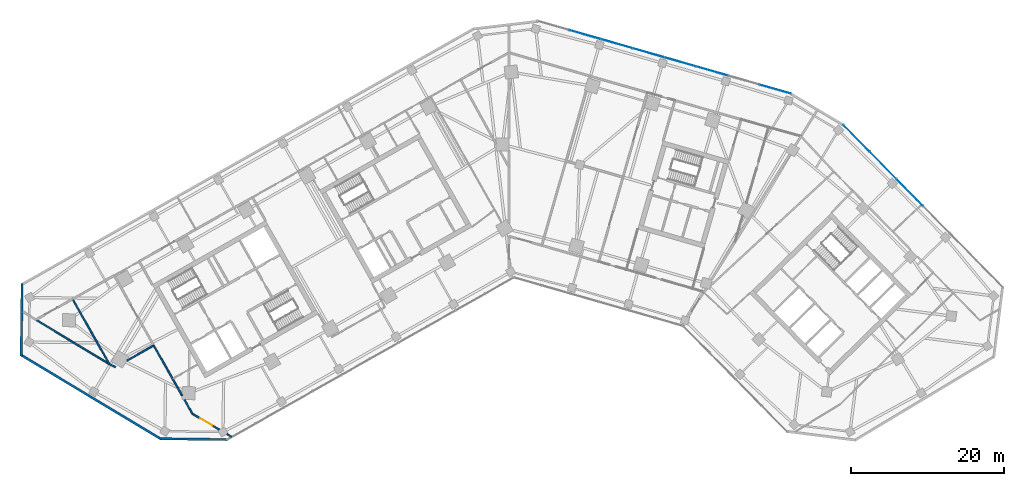
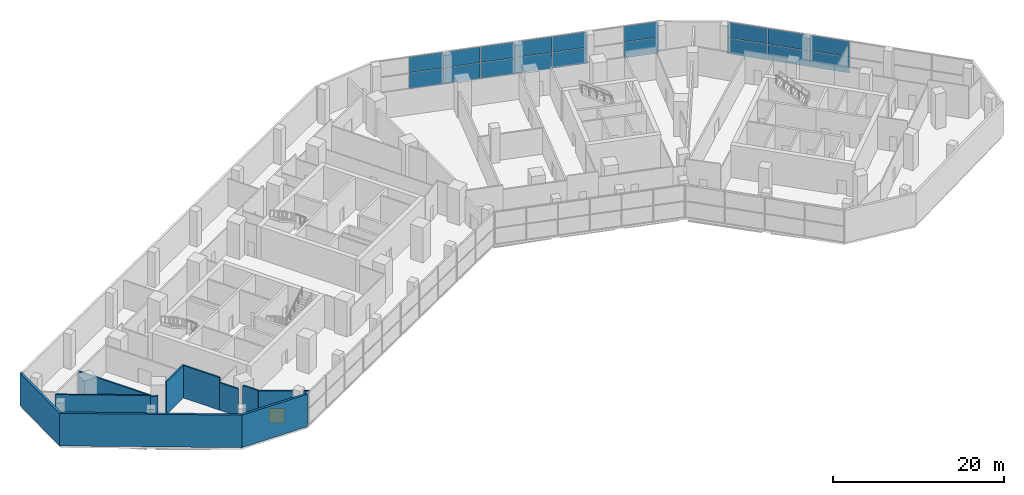
# One storey, part 10 of 18: 18 plates, 12 walls, 1 door, 1 opening, 2 elements without a shape of their own.
"""IFC4 building model written with IfcOpenShell, lengths in metres."""

from ifc_helpers import new_model, si_unit, direction, frame, frame_2d, origin, origin_2d, place, context, subcontext, project, spatial, rectangle, extrude, material, layer, layer_set, type_object, element, fill, aggregate, save


model = new_model("IFC4")

# Units and contexts
model_context = context("Model", 3, precision=1e-05, world=origin(), true_north=direction((0.0, 1.0)))
body_context = subcontext(model_context, "Body", "Model", "MODEL_VIEW")
ifc_project = project(units=[si_unit("LENGTHUNIT", "METRE"), si_unit("AREAUNIT", "SQUARE_METRE"), si_unit("VOLUMEUNIT", "CUBIC_METRE"), si_unit("PLANEANGLEUNIT", "RADIAN"), si_unit("MASSUNIT", "GRAM", prefix="KILO")], contexts=[model_context])

# Site, building, storey
site_placement = place(None, origin())
site = spatial("IfcSite", under=ifc_project, at=site_placement, CompositionType="ELEMENT")
building_placement = place(site_placement, origin())
building = spatial("IfcBuilding", under=site, at=building_placement, Name="Binnacle Exchange Tower", CompositionType="ELEMENT")
storey_placement = place(building_placement, frame((0.0, 0.0, 6.5)))
storey = spatial("IfcBuildingStorey", under=building, at=storey_placement, Name="L01", CompositionType="ELEMENT", Elevation=6.5)

# Curtain wall, plates
ifc_material_1 = material(Name="Bronze anodised aluminium frame", Category="aluminium")
curtain_wall_type = type_object("IfcCurtainWallType", Name="External wall - curtain wall north entrance", PredefinedType="NOTDEFINED", material=ifc_material_1)
curtain_wall_1_placement = place(storey_placement, origin())
curtain_wall_1 = element("IfcCurtainWall", 1, at=curtain_wall_1_placement, inside=storey, type_object=curtain_wall_type, Name="External wall curtain wall CW2-P00 L01", PredefinedType="NOTDEFINED")
ifc_material_2 = material(Name="Glass", Category="glass")
ifc_layer_1 = layer(ifc_material_2, 0.0400390625)
ifc_layer_set_1 = layer_set([ifc_layer_1], Name="CW2 GLASS PANEL 40")
plate_type = type_object("IfcPlateType", Name="CW2 GLASS PANEL 40", PredefinedType="CURTAIN_PANEL", material=ifc_layer_set_1)
plate_1_placement = place(storey_placement, frame((34.80517578125, 67.22119140625, 0.06005859375), z_axis=(0.0, 0.0, 1.0), x_axis=(-0.961261813316, 0.275636946471, 0.0)))
plate_1 = element("IfcPlate", 2, at=plate_1_placement, type_object=plate_type, Name="CW2-P00 panel 1.1", PredefinedType="CURTAIN_PANEL", context=body_context, shape_type="SweptSolid", body=[
    extrude(rectangle(XDim=4.19873046875, YDim=0.0400390625, at=origin_2d()), origin(), (0.0, 0.0, 1.0), 2.235107421875),
])
plate_2_placement = place(storey_placement, frame((34.80517578125, 67.22119140625, 2.35498046875), z_axis=(0.0, 0.0, 1.0), x_axis=(-0.961261813316, 0.275636946471, 0.0)))
plate_2 = element("IfcPlate", 3, at=plate_2_placement, type_object=plate_type, Name="CW2-P00 panel 1.2", PredefinedType="CURTAIN_PANEL", context=body_context, shape_type="SweptSolid", body=[
    extrude(rectangle(XDim=4.19873046875, YDim=0.0400390625, at=origin_2d()), origin(), (0.0, 0.0, 1.0), 2.235107421875),
])
plate_3_placement = place(storey_placement, frame((26.521728515625, 69.596435546875, 0.06005859375), z_axis=(0.0, 0.0, 1.0), x_axis=(-0.961261813316, 0.275636946471, 0.0)))
plate_3 = element("IfcPlate", 4, at=plate_3_placement, type_object=plate_type, Name="CW2-P00 panel 3.1", PredefinedType="CURTAIN_PANEL", context=body_context, shape_type="SweptSolid", body=[
    extrude(rectangle(XDim=4.238525390625, YDim=0.0400390625, at=origin_2d()), origin(), (0.0, 0.0, 1.0), 2.235107421875),
])
plate_4_placement = place(storey_placement, frame((26.521728515625, 69.596435546875, 2.35498046875), z_axis=(0.0, 0.0, 1.0), x_axis=(-0.961261813316, 0.275636946471, 0.0)))
plate_4 = element("IfcPlate", 5, at=plate_4_placement, type_object=plate_type, Name="CW2-P00 panel 3.2", PredefinedType="CURTAIN_PANEL", context=body_context, shape_type="SweptSolid", body=[
    extrude(rectangle(XDim=4.238525390625, YDim=0.0400390625, at=origin_2d()), origin(), (0.0, 0.0, 1.0), 2.235107421875),
])
plate_5_placement = place(storey_placement, frame((22.370361328125, 70.786865234375, 0.06005859375), z_axis=(0.0, 0.0, 1.0), x_axis=(-0.961261813316, 0.275636946471, 0.0)))
plate_5 = element("IfcPlate", 6, at=plate_5_placement, type_object=plate_type, Name="CW2-P00 panel 4.1", PredefinedType="CURTAIN_PANEL", context=body_context, shape_type="SweptSolid", body=[
    extrude(rectangle(XDim=4.238525390625, YDim=0.0400390625, at=origin_2d()), origin(), (0.0, 0.0, 1.0), 2.235107421875),
])
plate_6_placement = place(storey_placement, frame((22.370361328125, 70.786865234375, 2.35498046875), z_axis=(0.0, 0.0, 1.0), x_axis=(-0.961261813316, 0.275636946471, 0.0)))
plate_6 = element("IfcPlate", 7, at=plate_6_placement, type_object=plate_type, Name="CW2-P00 panel 4.2", PredefinedType="CURTAIN_PANEL", context=body_context, shape_type="SweptSolid", body=[
    extrude(rectangle(XDim=4.238525390625, YDim=0.0400390625, at=origin_2d()), origin(), (0.0, 0.0, 1.0), 2.235107421875),
])
plate_7_placement = place(storey_placement, frame((18.218994140625, 71.977294921875, 0.06005859375), z_axis=(0.0, 0.0, 1.0), x_axis=(-0.961261813316, 0.275636946471, 0.0)))
plate_7 = element("IfcPlate", 8, at=plate_7_placement, type_object=plate_type, Name="CW2-P00 panel 5.1", PredefinedType="CURTAIN_PANEL", context=body_context, shape_type="SweptSolid", body=[
    extrude(rectangle(XDim=4.238525390625, YDim=0.0400390625, at=origin_2d()), origin(), (0.0, 0.0, 1.0), 2.235107421875),
])
plate_8_placement = place(storey_placement, frame((18.218994140625, 71.977294921875, 2.35498046875), z_axis=(0.0, 0.0, 1.0), x_axis=(-0.961261813316, 0.275636946471, 0.0)))
plate_8 = element("IfcPlate", 9, at=plate_8_placement, type_object=plate_type, Name="CW2-P00 panel 5.2", PredefinedType="CURTAIN_PANEL", context=body_context, shape_type="SweptSolid", body=[
    extrude(rectangle(XDim=4.238525390625, YDim=0.0400390625, at=origin_2d()), origin(), (0.0, 0.0, 1.0), 2.235107421875),
])
plate_9_placement = place(storey_placement, frame((14.067626953125, 73.167724609375, 0.06005859375), z_axis=(0.0, 0.0, 1.0), x_axis=(-0.961261813316, 0.275636946471, 0.0)))
plate_9 = element("IfcPlate", 10, at=plate_9_placement, type_object=plate_type, Name="CW2-P00 panel 6.1", PredefinedType="CURTAIN_PANEL", context=body_context, shape_type="SweptSolid", body=[
    extrude(rectangle(XDim=4.238525390625, YDim=0.0400390625, at=origin_2d()), origin(), (0.0, 0.0, 1.0), 2.235107421875),
])
plate_10_placement = place(storey_placement, frame((14.067626953125, 73.167724609375, 2.35498046875), z_axis=(0.0, 0.0, 1.0), x_axis=(-0.961261813316, 0.275636946471, 0.0)))
plate_10 = element("IfcPlate", 11, at=plate_10_placement, type_object=plate_type, Name="CW2-P00 panel 6.2", PredefinedType="CURTAIN_PANEL", context=body_context, shape_type="SweptSolid", body=[
    extrude(rectangle(XDim=4.238525390625, YDim=0.0400390625, at=origin_2d()), origin(), (0.0, 0.0, 1.0), 2.235107421875),
])
plate_11_placement = place(storey_placement, frame((9.916259765625, 74.35791015625, 0.06005859375), z_axis=(0.0, 0.0, 1.0), x_axis=(-0.961261813316, 0.275636946471, 0.0)))
plate_11 = element("IfcPlate", 12, at=plate_11_placement, type_object=plate_type, Name="CW2-P00 panel 7.1", PredefinedType="CURTAIN_PANEL", context=body_context, shape_type="SweptSolid", body=[
    extrude(rectangle(XDim=4.238525390625, YDim=0.0400390625, at=origin_2d()), origin(), (0.0, 0.0, 1.0), 2.235107421875),
])
plate_12_placement = place(storey_placement, frame((9.916259765625, 74.35791015625, 2.35498046875), z_axis=(0.0, 0.0, 1.0), x_axis=(-0.961261813316, 0.275636946471, 0.0)))
plate_12 = element("IfcPlate", 13, at=plate_12_placement, type_object=plate_type, Name="CW2-P00 panel 7.2", PredefinedType="CURTAIN_PANEL", context=body_context, shape_type="SweptSolid", body=[
    extrude(rectangle(XDim=4.238525390625, YDim=0.0400390625, at=origin_2d()), origin(), (0.0, 0.0, 1.0), 2.235107421875),
])
aggregate(curtain_wall_1, [plate_1, plate_2, plate_3, plate_4, plate_5, plate_6, plate_7, plate_8, plate_9, plate_10, plate_11, plate_12])

curtain_wall_2_placement = place(storey_placement, origin())
curtain_wall_2 = element("IfcCurtainWall", 14, at=curtain_wall_2_placement, inside=storey, type_object=curtain_wall_type, Name="External wall curtain wall CW2-P12 L01", PredefinedType="NOTDEFINED")
plate_13_placement = place(storey_placement, frame((52.37060546875, 53.726318359375, 0.06005859375), z_axis=(0.0, 0.0, 1.0), x_axis=(-0.70090935439, 0.713250360623, 0.0)))
plate_13 = element("IfcPlate", 15, at=plate_13_placement, type_object=plate_type, Name="CW2-P12 panel 4.1", PredefinedType="CURTAIN_PANEL", context=body_context, shape_type="SweptSolid", body=[
    extrude(rectangle(XDim=4.902587890625, YDim=0.0400390625, at=origin_2d()), origin(), (0.0, 0.0, 1.0), 2.235107421875),
])
plate_14_placement = place(storey_placement, frame((52.37060546875, 53.726318359375, 2.35498046875), z_axis=(0.0, 0.0, 1.0), x_axis=(-0.70090935439, 0.713250360623, 0.0)))
plate_14 = element("IfcPlate", 16, at=plate_14_placement, type_object=plate_type, Name="CW2-P12 panel 4.2", PredefinedType="CURTAIN_PANEL", context=body_context, shape_type="SweptSolid", body=[
    extrude(rectangle(XDim=4.902587890625, YDim=0.0400390625, at=origin_2d()), origin(), (0.0, 0.0, 1.0), 2.235107421875),
])
plate_15_placement = place(storey_placement, frame((48.878173828125, 57.280029296875, 0.06005859375), z_axis=(0.0, 0.0, 1.0), x_axis=(-0.70090935439, 0.713250360623, 0.0)))
plate_15 = element("IfcPlate", 17, at=plate_15_placement, type_object=plate_type, Name="CW2-P12 panel 5.1", PredefinedType="CURTAIN_PANEL", context=body_context, shape_type="SweptSolid", body=[
    extrude(rectangle(XDim=4.902587890625, YDim=0.0400390625, at=origin_2d()), origin(), (0.0, 0.0, 1.0), 2.235107421875),
])
plate_16_placement = place(storey_placement, frame((48.878173828125, 57.280029296875, 2.35498046875), z_axis=(0.0, 0.0, 1.0), x_axis=(-0.70090935439, 0.713250360623, 0.0)))
plate_16 = element("IfcPlate", 18, at=plate_16_placement, type_object=plate_type, Name="CW2-P12 panel 5.2", PredefinedType="CURTAIN_PANEL", context=body_context, shape_type="SweptSolid", body=[
    extrude(rectangle(XDim=4.902587890625, YDim=0.0400390625, at=origin_2d()), origin(), (0.0, 0.0, 1.0), 2.235107421875),
])
plate_17_placement = place(storey_placement, frame((45.39990234375, 60.819580078125, 0.06005859375), z_axis=(0.0, 0.0, 1.0), x_axis=(-0.70090935439, 0.713250360623, 0.0)))
plate_17 = element("IfcPlate", 19, at=plate_17_placement, type_object=plate_type, Name="CW2-P12 panel 6.1", PredefinedType="CURTAIN_PANEL", context=body_context, shape_type="SweptSolid", body=[
    extrude(rectangle(XDim=4.862548828125, YDim=0.0400390625, at=origin_2d()), origin(), (0.0, 0.0, 1.0), 2.235107421875),
])
plate_18_placement = place(storey_placement, frame((45.39990234375, 60.819580078125, 2.35498046875), z_axis=(0.0, 0.0, 1.0), x_axis=(-0.70090935439, 0.713250360623, 0.0)))
plate_18 = element("IfcPlate", 20, at=plate_18_placement, type_object=plate_type, Name="CW2-P12 panel 6.2", PredefinedType="CURTAIN_PANEL", context=body_context, shape_type="SweptSolid", body=[
    extrude(rectangle(XDim=4.862548828125, YDim=0.0400390625, at=origin_2d()), origin(), (0.0, 0.0, 1.0), 2.235107421875),
])
aggregate(curtain_wall_2, [plate_13, plate_14, plate_15, plate_16, plate_17, plate_18])

# Walls
ifc_material_3 = material(Name="Bronze aluminium louvre", Category="aluminium")
ifc_layer_2 = layer(ifc_material_3, 0.300048828125)
ifc_layer_set_2 = layer_set([ifc_layer_2], Name="External wall - podium louvre 300")
wall_type_1 = type_object("IfcWallType", Name="External wall - podium louvre 300", PredefinedType="STANDARD", material=ifc_layer_set_2)
wall_1_placement = place(storey_placement, frame((-63.754150390625, 32.387451171875, 0.0), z_axis=(0.0, 0.0, 1.0), x_axis=(0.013081929375, 0.999914427901, 0.0)))
element("IfcWall", 21, at=wall_1_placement, inside=storey, type_object=wall_type_1, Name="External wall EW-P03 L01", PredefinedType="STANDARD", context=body_context, shape_type="SweptSolid", body=[
    extrude(rectangle(XDim=9.443115234375, YDim=0.300048828125, at=frame_2d((4.7216796875, 0.0))), origin(), (0.0, 0.0, 1.0), 4.64990234375),
])
wall_2_placement = place(storey_placement, frame((-45.526123046875, 21.521728515625, 0.0), z_axis=(0.0, 0.0, 1.0), x_axis=(-0.857164837164, 0.515042174903, 0.0)))
element("IfcWall", 22, at=wall_2_placement, inside=storey, type_object=wall_type_1, Name="External wall EW-P04 L01", PredefinedType="STANDARD", context=body_context, shape_type="SweptSolid", body=[
    extrude(rectangle(XDim=21.350341796875, YDim=0.300048828125, at=frame_2d((10.67529296875, 0.0))), origin(), (0.0, 0.0, 1.0), 4.64990234375),
])
wall_3_placement = place(storey_placement, frame((-36.821044921875, 21.42822265625, 0.0), z_axis=(0.0, 0.0, 1.0), x_axis=(-0.999914252794, 0.013095306781, 0.0)))
element("IfcWall", 23, at=wall_3_placement, inside=storey, type_object=wall_type_1, Name="External wall EW-P05 L01", PredefinedType="STANDARD", context=body_context, shape_type="SweptSolid", body=[
    extrude(rectangle(XDim=8.781005859375, YDim=0.300048828125, at=frame_2d((4.390625, 0.0))), origin(), (0.0, 0.0, 1.0), 4.64990234375),
])
ifc_material_4 = material(Name="Masonry block wall", Category="masonry")
ifc_layer_3 = layer(ifc_material_4, 0.199951171875)
ifc_layer_set_3 = layer_set([ifc_layer_3], Name="Fire wall - block 200")
wall_type_2 = type_object("IfcWallType", Name="Fire wall - block 200", PredefinedType="PARTITIONING", material=ifc_layer_set_3)
wall_4_placement = place(storey_placement, frame((-61.822998046875, 37.0869140625, 0.0), z_axis=(0.0, 0.0, 1.0), x_axis=(0.85653126321, -0.516095141562, 0.0)))
element("IfcWall", 24, at=wall_4_placement, inside=storey, type_object=wall_type_2, Name="Partition W03", PredefinedType="PARTITIONING", context=body_context, shape_type="SweptSolid", body=[
    extrude(rectangle(XDim=11.1953125, YDim=0.199951171875, at=frame_2d((5.59765625, 0.0))), origin(), (0.0, 0.0, 1.0), 3.822021484375),
])
wall_5_placement = place(storey_placement, frame((-57.035888671875, 39.794921875, 0.0), z_axis=(0.0, 0.0, 1.0), x_axis=(0.492496959124, -0.870314164687, 0.0)))
element("IfcWall", 25, at=wall_5_placement, inside=storey, type_object=wall_type_2, Name="Partition W04", PredefinedType="PARTITIONING", context=body_context, shape_type="SweptSolid", body=[
    extrude(rectangle(XDim=9.750244140625, YDim=0.199951171875, at=frame_2d((4.875, 0.0))), origin(), (0.0, 0.0, 1.0), 3.822021484375),
])
wall_6_placement = place(storey_placement, frame((-52.23388671875, 31.30908203125, 0.0), z_axis=(0.0, 0.0, 1.0), x_axis=(0.89219447326, -0.451651438483, 0.0)))
element("IfcWall", 26, at=wall_6_placement, inside=storey, type_object=wall_type_2, Name="Partition W06", PredefinedType="PARTITIONING", context=body_context, shape_type="SweptSolid", body=[
    extrude(rectangle(XDim=0.901123046875, YDim=0.199951171875, at=frame_2d((0.45068359375, 0.0))), origin(), (0.0, 0.0, 1.0), 3.7119140625),
])
wall_7_placement = place(storey_placement, frame((-49.927978515625, 31.751953125, 0.0), z_axis=(0.0, 0.0, 1.0), x_axis=(0.870348099826, 0.492436985948, 0.0)))
element("IfcWall", 27, at=wall_7_placement, inside=storey, type_object=wall_type_2, Name="Partition W09", PredefinedType="PARTITIONING", context=body_context, shape_type="SweptSolid", body=[
    extrude(rectangle(XDim=4.024658203125, YDim=0.199951171875, at=frame_2d((2.01220703125, 0.0))), origin(), (0.0, 0.0, 1.0), 4.64990234375),
])
wall_8_placement = place(storey_placement, frame((-46.425048828125, 33.73388671875, 0.0), z_axis=(0.0, 0.0, 1.0), x_axis=(0.492427267353, -0.870353598469, 0.0)))
element("IfcWall", 28, at=wall_8_placement, inside=storey, type_object=wall_type_2, Name="Partition W12", PredefinedType="PARTITIONING", context=body_context, shape_type="SweptSolid", body=[
    extrude(rectangle(XDim=5.0, YDim=0.199951171875, at=frame_2d((2.5, 0.0))), origin(), (0.0, 0.0, 1.0), 4.64990234375),
])
wall_9_placement = place(storey_placement, frame((-43.962890625, 29.382080078125, 0.0), z_axis=(0.0, 0.0, 1.0), x_axis=(0.492408705769, -0.870364099951, 0.0)))
element("IfcWall", 29, at=wall_9_placement, inside=storey, type_object=wall_type_2, Name="Partition W13", PredefinedType="PARTITIONING", context=body_context, shape_type="SweptSolid", body=[
    extrude(rectangle(XDim=2.54052734375, YDim=0.199951171875, at=frame_2d((1.270263671875, 0.0))), origin(), (0.0, 0.0, 1.0), 3.929931640625),
])
wall_10_placement = place(storey_placement, frame((-42.41796875, 26.652099609375, 0.0), z_axis=(0.0, 0.0, 1.0), x_axis=(0.492251431349, -0.870453059237, 0.0)))
element("IfcWall", 30, at=wall_10_placement, inside=storey, type_object=wall_type_2, Name="Partition W16", PredefinedType="PARTITIONING", context=body_context, shape_type="SweptSolid", body=[
    extrude(rectangle(XDim=2.11279296875, YDim=0.199951171875, at=frame_2d((1.056396484375, 0.0))), origin(), (0.0, 0.0, 1.0), 4.64990234375),
])

# Wall, opening, door
wall_11_placement = place(storey_placement, frame((-41.3779296875, 24.81298828125, 0.0), z_axis=(0.0, 0.0, 1.0), x_axis=(0.860752907168, -0.509023017948, 0.0)))
wall_11 = element("IfcWall", 31, at=wall_11_placement, inside=storey, type_object=wall_type_2, Name="Partition W17", PredefinedType="PARTITIONING", context=body_context, shape_type="SweptSolid", body=[
    extrude(rectangle(XDim=4.08837890625, YDim=0.199951171875, at=frame_2d((2.044189453125, 0.0))), origin(), (0.0, 0.0, 1.0), 4.64990234375),
])
opening_placement = place(wall_11_placement, frame((1.199951171875, 0.0, 0.0)))
opening = element("IfcOpeningElement", 32, at=opening_placement, cuts=wall_11, Name="Opening DL01-09", PredefinedType="OPENING", context=body_context, shape_type="SweptSolid", body=[
    extrude(rectangle(XDim=1.800048828125, YDim=2.10009765625, at=frame_2d((0.89990234375, 1.050048828125))), frame((0.0, 0.10986328125, 0.0), z_axis=(0.0, -1.0, 0.0), x_axis=(1.0, 0.0, 0.0)), (0.0, 0.0, 1.0), 0.219970703125),
])
ifc_material_5 = material(Name="Steel door leaf", Category="steel")
door_type = type_object("IfcDoorType", Name="Fire door 1800", OperationType="NOTDEFINED", PredefinedType="DOOR", material=ifc_material_5)
door_placement = place(opening_placement, frame((1.800048828125, 0.0, 0.0), z_axis=(0.0, 0.0, 1.0), x_axis=(-1.0, 0.0, 0.0)))
door = element("IfcDoor", 33, at=door_placement, inside=storey, type_object=door_type, Name="Door DL01-09", OperationType="DOUBLE_DOOR_SINGLE_SWING", OverallHeight=2.10009765625, OverallWidth=1.800048828125, PredefinedType="DOOR", context=body_context, shape_type="SweptSolid", body=[
    extrude(rectangle(XDim=1.800048828125, YDim=2.10009765625, at=frame_2d((0.89990234375, 1.050048828125))), frame((0.0, 0.02490234375, 0.0), z_axis=(0.0, -1.0, 0.0), x_axis=(1.0, 0.0, 0.0)), (0.0, 0.0, 1.0), 0.050048828125),
])
fill(opening, door)

# Wall
wall_12_placement = place(storey_placement, frame((-36.865966796875, 22.14404296875, 0.0), z_axis=(0.0, 0.0, 1.0), x_axis=(0.861112187998, -0.508414987664, 0.0)))
element("IfcWall", 34, at=wall_12_placement, inside=storey, type_object=wall_type_2, Name="Partition W19", PredefinedType="PARTITIONING", context=body_context, shape_type="SweptSolid", body=[
    extrude(rectangle(XDim=0.680419921875, YDim=0.199951171875, at=frame_2d((0.34033203125, 0.0))), origin(), (0.0, 0.0, 1.0), 4.64990234375),
])

save(model, "model.ifc")
